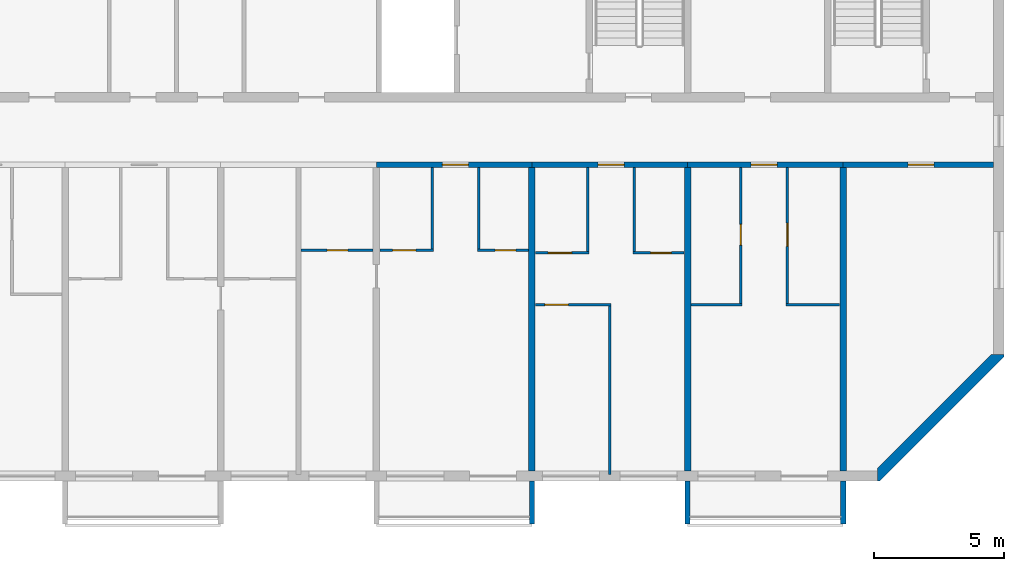
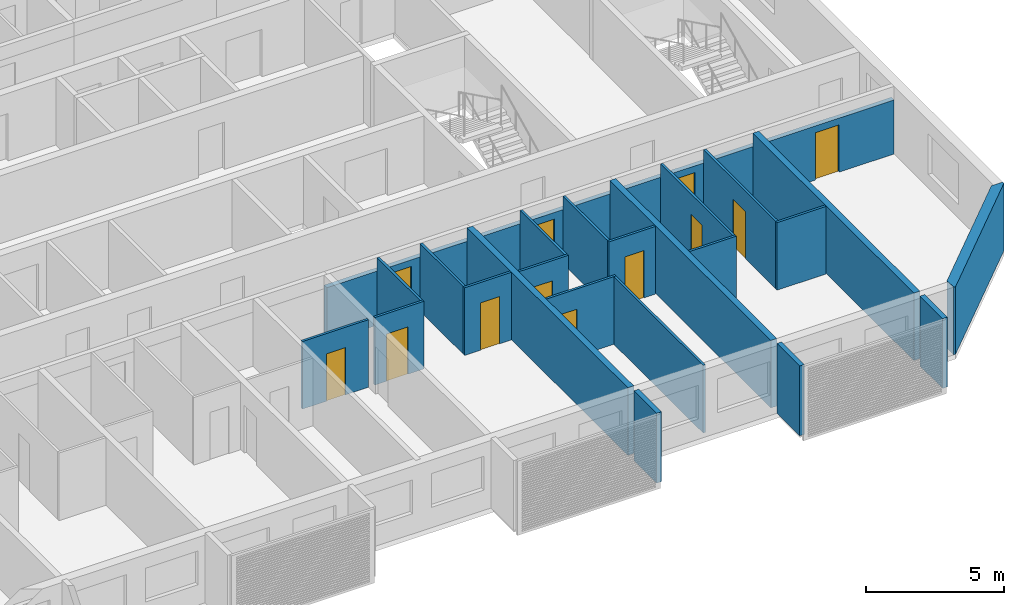
# One storey, part 7 of 20: 26 walls, 12 doors, 12 openings.
"""IFC4 building model written with IfcOpenShell, lengths in metres."""

import ifcopenshell
import ifcopenshell.guid

model = None  # the IFC model being written
_history = None  # IfcOwnerHistory: only IFC2X3 demands one
_inside = {}  # id of a spatial element -> (the spatial element, [elements in it])
_under = {}  # id of a project, library or spatial element -> (it, [spatial elements below it])
_declared = {}  # id of a project -> (the project, [libraries it declares])
_typed = {}  # id of a type object -> (the type object, [elements of that type])
_made_of = {}  # id of a material, layer set ... -> (it, [elements and type objects made of it])


def new_model(schema):
    """Start an empty IFC model of exactly this schema.

    Asked for "IFC4X3", IfcOpenShell would pick the latest addendum, in which some entities
    have other attributes; the version numbers below select the first issue.
    IFC2X3 requires an IfcOwnerHistory on every rooted entity: one is made here for all.
    """
    global model, _history
    if schema == "IFC4X3":
        model = ifcopenshell.file(schema_version=(4, 3, 0, 0))
    else:
        model = ifcopenshell.file(schema=schema)
    _inside.clear()
    _under.clear()
    _declared.clear()
    _typed.clear()
    _made_of.clear()
    _history = None
    if model.schema == "IFC2X3":
        org = make("IfcOrganization", Name="unknown")
        user = make(
            "IfcPersonAndOrganization",
            ThePerson=make("IfcPerson", FamilyName="unknown"),
            TheOrganization=org,
        )
        app = make(
            "IfcApplication",
            ApplicationDeveloper=org,
            Version="unknown",
            ApplicationFullName="unknown",
            ApplicationIdentifier="unknown",
        )
        _history = make(
            "IfcOwnerHistory",
            OwningUser=user,
            OwningApplication=app,
            ChangeAction="ADDED",
            CreationDate=0,
        )
    return model


def make(cls, **values):
    """One entity of the class cls with the attributes given. An attribute that is None is left unset."""
    return model.create_entity(
        cls, **{name: value for name, value in values.items() if value is not None}
    )


def rooted(cls, **values):
    """An entity with a GlobalId (a new one), such as an element, a storey or a relation."""
    return make(cls, GlobalId=ifcopenshell.guid.new(), OwnerHistory=_history, **values)


def si_unit(unit_type, name, prefix=None):
    """IfcSIUnit, for example si_unit("LENGTHUNIT", "METRE", prefix="MILLI")."""
    return make("IfcSIUnit", UnitType=unit_type, Prefix=prefix, Name=name)


def assignment(units):
    """IfcUnitAssignment: the units of a project."""
    return None if units is None else make("IfcUnitAssignment", Units=units)


def point(xyz):
    """IfcCartesianPoint."""
    return None if xyz is None else make("IfcCartesianPoint", Coordinates=xyz)


def direction(xyz):
    """IfcDirection."""
    return None if xyz is None else make("IfcDirection", DirectionRatios=xyz)


def frame(location, z_axis=None, x_axis=None):
    """IfcAxis2Placement3D, a coordinate frame: its origin and axes. An axis left out is left unset."""
    return make(
        "IfcAxis2Placement3D",
        Location=point(location),
        Axis=direction(z_axis),
        RefDirection=direction(x_axis),
    )


def frame_2d(location, x_axis=None):
    """IfcAxis2Placement2D, a coordinate frame in the plane: its origin and x axis."""
    return make(
        "IfcAxis2Placement2D", Location=point(location), RefDirection=direction(x_axis)
    )


def origin():
    """The frame at (0, 0, 0) with its axes left unset."""
    return frame((0.0, 0.0, 0.0))


def place(relative_to, where):
    """IfcLocalPlacement: puts the frame where relative to a parent placement (None: the world)."""
    return make(
        "IfcLocalPlacement", PlacementRelTo=relative_to, RelativePlacement=where
    )


def context(
    kind, dimensions, precision=None, world=None, true_north=None, identifier=None
):
    """IfcGeometricRepresentationContext, for example the 3D "Model" context."""
    return make(
        "IfcGeometricRepresentationContext",
        ContextIdentifier=identifier,
        ContextType=kind,
        CoordinateSpaceDimension=dimensions,
        Precision=precision,
        WorldCoordinateSystem=world,
        TrueNorth=true_north,
    )


def subcontext(parent, identifier, kind, view, scale=None):
    """IfcGeometricRepresentationSubContext, for example "Body" below "Model"."""
    return make(
        "IfcGeometricRepresentationSubContext",
        ContextIdentifier=identifier,
        ContextType=kind,
        ParentContext=parent,
        TargetScale=scale,
        TargetView=view,
    )


def project(units=None, contexts=None):
    """IfcProject with its units and contexts."""
    return rooted(
        "IfcProject",
        Name="project",
        RepresentationContexts=contexts,
        UnitsInContext=assignment(units),
    )


def spatial(cls, under=None, at=None, **own):
    """A site, building, storey or space (cls), placed at a placement, below another one or the project."""
    s = rooted(cls, ObjectPlacement=at, **own)
    if under is not None:
        _under.setdefault(under.id(), (under, []))[1].append(s)
    return s


def polyline(points):
    """IfcPolyline through the points."""
    return make("IfcPolyline", Points=[point(p) for p in points])


def profile(cls, at=None, kind="AREA", **sizes):
    """A parametric profile (cls). Its sizes go by their IFC names, for example OverallWidth=200.0."""
    return make(cls, ProfileType=kind, Position=at, **sizes)


def rectangle(**sizes):
    """IfcRectangleProfileDef."""
    return profile("IfcRectangleProfileDef", **sizes)


def outline(outer, holes=None, kind="AREA"):
    """IfcArbitraryClosedProfileDef: a profile drawn as a closed curve; with holes, ...WithVoids."""
    if holes is None:
        return make("IfcArbitraryClosedProfileDef", ProfileType=kind, OuterCurve=outer)
    return make(
        "IfcArbitraryProfileDefWithVoids",
        ProfileType=kind,
        OuterCurve=outer,
        InnerCurves=holes,
    )


def extrude(swept, where, along, depth):
    """IfcExtrudedAreaSolid: the profile swept, set in the frame where, extruded along a direction by depth."""
    return make(
        "IfcExtrudedAreaSolid",
        SweptArea=swept,
        Position=where,
        ExtrudedDirection=direction(along),
        Depth=depth,
    )


def shape(context_of_items, identifier, shape_type, items):
    """IfcShapeRepresentation: the items that make up one representation, for example the "Body"."""
    return make(
        "IfcShapeRepresentation",
        ContextOfItems=context_of_items,
        RepresentationIdentifier=identifier,
        RepresentationType=shape_type,
        Items=items,
    )


def source(mapping_origin, context_of_items, identifier, shape_type, items):
    """IfcRepresentationMap: a shape defined once, which mapped items show again and again."""
    return make(
        "IfcRepresentationMap",
        MappingOrigin=mapping_origin,
        MappedRepresentation=shape(context_of_items, identifier, shape_type, items),
    )


def transform(
    local_origin,
    x_axis=None,
    y_axis=None,
    z_axis=None,
    scale=None,
    scale2=None,
    scale3=None,
    uniform=True,
):
    """IfcCartesianTransformationOperator3D, or its non-uniform kind. x_axis, y_axis, z_axis: its Axis1, 2, 3."""
    if uniform:
        return make(
            "IfcCartesianTransformationOperator3D",
            Axis1=direction(x_axis),
            Axis2=direction(y_axis),
            LocalOrigin=point(local_origin),
            Scale=scale,
            Axis3=direction(z_axis),
        )
    return make(
        "IfcCartesianTransformationOperator3DnonUniform",
        Axis1=direction(x_axis),
        Axis2=direction(y_axis),
        LocalOrigin=point(local_origin),
        Scale=scale,
        Axis3=direction(z_axis),
        Scale2=scale2,
        Scale3=scale3,
    )


def mapped(mapping_source, mapping_target):
    """IfcMappedItem: shows the shape of a source again, moved by a transform."""
    return make(
        "IfcMappedItem", MappingSource=mapping_source, MappingTarget=mapping_target
    )


def material(Name=None, Category=None):
    """IfcMaterial."""
    return make("IfcMaterial", Name=Name, Category=Category)


def layer(
    of_material, thickness, ventilated=None, Name=None, Category=None, Priority=None
):
    """IfcMaterialLayer: one layer of a wall or slab, of a material (None: an air gap)."""
    return make(
        "IfcMaterialLayer",
        Material=of_material,
        LayerThickness=thickness,
        IsVentilated=ventilated,
        Name=Name,
        Category=Category,
        Priority=Priority,
    )


def layer_set(layers, Name=None):
    """IfcMaterialLayerSet."""
    return make("IfcMaterialLayerSet", MaterialLayers=layers, LayerSetName=Name)


def made_of(thing, what):
    """Note that an element or type object is made of a material, layer set ...; save() writes the relation."""
    if what is not None:
        _made_of.setdefault(what.id(), (what, []))[1].append(thing)
    return thing


def type_object(cls, material=None, **own):
    """A type object (cls), such as IfcWallType, which elements share."""
    return made_of(rooted(cls, **own), material)


def element(
    cls,
    number,
    at=None,
    inside=None,
    cuts=None,
    type_object=None,
    material=None,
    context=None,
    identifier="Body",
    shape_type=None,
    held_by="IfcProductDefinitionShape",
    body=None,
    shapes=None,
    **own,
):
    """One element of the class cls, such as IfcWall. Its Tag is "e" and its number.

    at: its placement. inside: the storey or other place that contains it. cuts: it is an
    opening in that element (IfcRelVoidsElement). A single representation is given by context,
    identifier, shape_type and body (its items); several are given by shapes. held_by: the class
    of the entity that holds the representations. save() writes the other relations.
    """
    e = rooted(cls, Tag="e%d" % number, ObjectPlacement=at, **own)
    if body is not None:
        shapes = [shape(context, identifier, shape_type, body)]
    if shapes is not None:
        e.Representation = make(held_by, Representations=shapes)
    if inside is not None:
        _inside.setdefault(inside.id(), (inside, []))[1].append(e)
    if cuts is not None:
        rooted(
            "IfcRelVoidsElement", RelatingBuildingElement=cuts, RelatedOpeningElement=e
        )
    if type_object is not None:
        _typed.setdefault(type_object.id(), (type_object, []))[1].append(e)
    return made_of(e, material)


def fill(opening, filler):
    """IfcRelFillsElement: the door or window that sits in an opening."""
    return rooted(
        "IfcRelFillsElement",
        RelatingOpeningElement=opening,
        RelatedBuildingElement=filler,
    )


def aggregate(whole, parts):
    """IfcRelAggregates: a whole, such as a stair, and the parts it consists of."""
    return rooted("IfcRelAggregates", RelatingObject=whole, RelatedObjects=parts)


def save(model, path):
    """Write the relations noted so far, then the file.

    IfcRelAggregates (storeys below a building ...), IfcRelContainedInSpatialStructure (elements
    in a storey), IfcRelDefinesByType, IfcRelAssociatesMaterial and IfcRelDeclares: one each for
    every whole, place, type object, material and project.
    """
    for whole, parts in _under.values():
        aggregate(whole, parts)
    for where, things in _inside.values():
        rooted(
            "IfcRelContainedInSpatialStructure",
            RelatedElements=things,
            RelatingStructure=where,
        )
    for kind, things in _typed.values():
        rooted("IfcRelDefinesByType", RelatedObjects=things, RelatingType=kind)
    for what, things in _made_of.values():
        rooted("IfcRelAssociatesMaterial", RelatedObjects=things, RelatingMaterial=what)
    for by, libraries in _declared.values():
        rooted("IfcRelDeclares", RelatingContext=by, RelatedDefinitions=libraries)
    model.write(path)


model = new_model("IFC4")

# Units and contexts
model_context = context("Model", 3, precision=1e-05, world=origin(), true_north=direction((0.0, 1.0)))
body_context = subcontext(model_context, "Body", "Model", "MODEL_VIEW")
ifc_project = project(units=[si_unit("LENGTHUNIT", "METRE"), si_unit("AREAUNIT", "SQUARE_METRE"), si_unit("VOLUMEUNIT", "CUBIC_METRE"), si_unit("PLANEANGLEUNIT", "RADIAN"), si_unit("MASSUNIT", "GRAM", prefix="KILO")], contexts=[model_context])

# Site, building, storey
site_placement = place(None, origin())
site = spatial("IfcSite", under=ifc_project, at=site_placement, CompositionType="ELEMENT")
building_placement = place(site_placement, origin())
building = spatial("IfcBuilding", under=site, at=building_placement, Name="Poui Terraces", CompositionType="ELEMENT")
storey_placement = place(building_placement, frame((0.0, 0.0, 257.699951171875)))
storey = spatial("IfcBuildingStorey", under=building, at=storey_placement, Name="L72", CompositionType="ELEMENT", Elevation=257.699951171875)

# Wall, opening, door
ifc_material_1 = material(Name="Concrete 50 MPa", Category="concrete")
ifc_layer_1 = layer(ifc_material_1, 0.199951171875)
ifc_layer_set_1 = layer_set([ifc_layer_1], Name="Concrete 50 MPa")
wall_type_1 = type_object("IfcWallType", Name="CORRIDOR WALL 200 50MPa", PredefinedType="SHEAR", material=ifc_layer_set_1)
wall_1_placement = place(storey_placement, frame((60.0, 12.0, 0.0), z_axis=(0.0, 0.0, 1.0), x_axis=(1.0, 0.0, 0.0)))
wall_1 = element("IfcWall", 1, at=wall_1_placement, inside=storey, type_object=wall_type_1, Name="CORRIDOR WALL LINE B BAY 8", PredefinedType="SHEAR", context=body_context, shape_type="SweptSolid", body=[
    extrude(rectangle(XDim=6.0, YDim=0.199951171875, at=frame_2d((3.0, 0.0))), origin(), (0.0, 0.0, 1.0), 2.400146484375),
])
opening_1_placement = place(wall_1_placement, frame((2.550048828125, 0.0, 0.0)))
opening_1 = element("IfcOpeningElement", 2, at=opening_1_placement, cuts=wall_1, Name="Opening FD30S", PredefinedType="OPENING", context=body_context, shape_type="SweptSolid", body=[
    extrude(rectangle(XDim=1.0, YDim=2.10009765625, at=frame_2d((0.5, 1.050048828125))), frame((0.0, 0.10986328125, 0.0), z_axis=(0.0, -1.0, 0.0), x_axis=(1.0, 0.0, 0.0)), (0.0, 0.0, 1.0), 0.219970703125),
])
ifc_material_2 = material(Name="Steel fire door", Category="steel")
door_type_1 = type_object("IfcDoorType", Name="FLAT ENTRANCE DOOR 1000 X 2100", OperationType="NOTDEFINED", PredefinedType="DOOR", material=ifc_material_2)
door_1_placement = place(opening_1_placement, frame((1.0, 0.0, 0.0), z_axis=(0.0, 0.0, 1.0), x_axis=(-1.0, 0.0, 0.0)))
door_1 = element("IfcDoor", 3, at=door_1_placement, inside=storey, type_object=door_type_1, Name="FLAT ENTRANCE DOOR 084", OperationType="SINGLE_SWING_LEFT", OverallHeight=2.10009765625, OverallWidth=1.0, PredefinedType="DOOR", context=body_context, shape_type="SweptSolid", body=[
    extrude(rectangle(XDim=1.0, YDim=2.10009765625, at=frame_2d((0.5, 1.050048828125))), frame((0.0, 0.02490234375, 0.0), z_axis=(0.0, -1.0, 0.0), x_axis=(1.0, 0.0, 0.0)), (0.0, 0.0, 1.0), 0.050048828125),
])
fill(opening_1, door_1)

wall_2_placement = place(storey_placement, frame((66.0, 12.0, 0.0), z_axis=(0.0, 0.0, 1.0), x_axis=(1.0, 0.0, 0.0)))
wall_2 = element("IfcWall", 4, at=wall_2_placement, inside=storey, type_object=wall_type_1, Name="CORRIDOR WALL LINE B BAY 9", PredefinedType="SHEAR", context=body_context, shape_type="SweptSolid", body=[
    extrude(rectangle(XDim=6.0, YDim=0.199951171875, at=frame_2d((3.0, 0.0))), origin(), (0.0, 0.0, 1.0), 2.400146484375),
])
opening_2_placement = place(wall_2_placement, frame((2.550048828125, 0.0, 0.0)))
opening_2 = element("IfcOpeningElement", 5, at=opening_2_placement, cuts=wall_2, Name="Opening FD30S", PredefinedType="OPENING", context=body_context, shape_type="SweptSolid", body=[
    extrude(rectangle(XDim=1.0, YDim=2.10009765625, at=frame_2d((0.5, 1.050048828125))), frame((0.0, 0.10986328125, 0.0), z_axis=(0.0, -1.0, 0.0), x_axis=(1.0, 0.0, 0.0)), (0.0, 0.0, 1.0), 0.219970703125),
])
door_2_placement = place(opening_2_placement, frame((1.0, 0.0, 0.0), z_axis=(0.0, 0.0, 1.0), x_axis=(-1.0, 0.0, 0.0)))
door_2 = element("IfcDoor", 6, at=door_2_placement, inside=storey, type_object=door_type_1, Name="FLAT ENTRANCE DOOR 088", OperationType="SINGLE_SWING_LEFT", OverallHeight=2.10009765625, OverallWidth=1.0, PredefinedType="DOOR", context=body_context, shape_type="SweptSolid", body=[
    extrude(rectangle(XDim=1.0, YDim=2.10009765625, at=frame_2d((0.5, 1.050048828125))), frame((0.0, 0.02490234375, 0.0), z_axis=(0.0, -1.0, 0.0), x_axis=(1.0, 0.0, 0.0)), (0.0, 0.0, 1.0), 0.050048828125),
])
fill(opening_2, door_2)

wall_3_placement = place(storey_placement, frame((72.0, 12.0, 0.0), z_axis=(0.0, 0.0, 1.0), x_axis=(1.0, 0.0, 0.0)))
wall_3 = element("IfcWall", 7, at=wall_3_placement, inside=storey, type_object=wall_type_1, Name="CORRIDOR WALL LINE B BAY 10", PredefinedType="SHEAR", context=body_context, shape_type="SweptSolid", body=[
    extrude(rectangle(XDim=6.0, YDim=0.199951171875, at=frame_2d((3.0, 0.0))), origin(), (0.0, 0.0, 1.0), 2.400146484375),
])
opening_3_placement = place(wall_3_placement, frame((2.449951171875, 0.0, 0.0)))
opening_3 = element("IfcOpeningElement", 8, at=opening_3_placement, cuts=wall_3, Name="Opening FD30S", PredefinedType="OPENING", context=body_context, shape_type="SweptSolid", body=[
    extrude(rectangle(XDim=1.0, YDim=2.10009765625, at=frame_2d((0.5, 1.050048828125))), frame((0.0, 0.10986328125, 0.0), z_axis=(0.0, -1.0, 0.0), x_axis=(1.0, 0.0, 0.0)), (0.0, 0.0, 1.0), 0.219970703125),
])
door_3_placement = place(opening_3_placement, frame((1.0, 0.0, 0.0), z_axis=(0.0, 0.0, 1.0), x_axis=(-1.0, 0.0, 0.0)))
door_3 = element("IfcDoor", 9, at=door_3_placement, inside=storey, type_object=door_type_1, Name="FLAT ENTRANCE DOOR 091", OperationType="SINGLE_SWING_RIGHT", OverallHeight=2.10009765625, OverallWidth=1.0, PredefinedType="DOOR", context=body_context, shape_type="SweptSolid", body=[
    extrude(rectangle(XDim=1.0, YDim=2.10009765625, at=frame_2d((0.5, 1.050048828125))), frame((0.0, 0.02490234375, 0.0), z_axis=(0.0, -1.0, 0.0), x_axis=(1.0, 0.0, 0.0)), (0.0, 0.0, 1.0), 0.050048828125),
])
fill(opening_3, door_3)

wall_4_placement = place(storey_placement, frame((78.0, 12.0, 0.0), z_axis=(0.0, 0.0, 1.0), x_axis=(1.0, 0.0, 0.0)))
wall_4 = element("IfcWall", 10, at=wall_4_placement, inside=storey, type_object=wall_type_1, Name="CORRIDOR WALL LINE B BAY 11", PredefinedType="SHEAR", context=body_context, shape_type="SweptSolid", body=[
    extrude(rectangle(XDim=5.800048828125, YDim=0.199951171875, at=frame_2d((2.89990234375, 0.0))), origin(), (0.0, 0.0, 1.0), 2.400146484375),
])
opening_4_placement = place(wall_4_placement, frame((2.5, 0.0, 0.0)))
opening_4 = element("IfcOpeningElement", 11, at=opening_4_placement, cuts=wall_4, Name="Opening D100", PredefinedType="OPENING", context=body_context, shape_type="SweptSolid", body=[
    extrude(rectangle(XDim=1.0, YDim=2.10009765625, at=frame_2d((0.5, 1.050048828125))), frame((0.0, 0.10986328125, 0.0), z_axis=(0.0, -1.0, 0.0), x_axis=(1.0, 0.0, 0.0)), (0.0, 0.0, 1.0), 0.219970703125),
])
ifc_material_3 = material(Name="Solid core timber door", Category="wood")
door_type_2 = type_object("IfcDoorType", Name="ACCESSIBLE INTERNAL DOOR 1000 X 2100", OperationType="NOTDEFINED", PredefinedType="DOOR", material=ifc_material_3)
door_4_placement = place(opening_4_placement, frame((1.0, 0.0, 0.0), z_axis=(0.0, 0.0, 1.0), x_axis=(-1.0, 0.0, 0.0)))
door_4 = element("IfcDoor", 12, at=door_4_placement, inside=storey, type_object=door_type_2, Name="ACCESSIBLE INTERNAL DOOR 093", OperationType="SINGLE_SWING_RIGHT", OverallHeight=2.10009765625, OverallWidth=1.0, PredefinedType="DOOR", context=body_context, shape_type="SweptSolid", body=[
    extrude(rectangle(XDim=1.0, YDim=2.10009765625, at=frame_2d((0.5, 1.050048828125))), frame((0.0, 0.02490234375, 0.0), z_axis=(0.0, -1.0, 0.0), x_axis=(1.0, 0.0, 0.0)), (0.0, 0.0, 1.0), 0.050048828125),
])
fill(opening_4, door_4)

# Walls
ifc_layer_2 = layer(ifc_material_1, 0.25)
ifc_layer_set_2 = layer_set([ifc_layer_2], Name="Concrete 50 MPa")
wall_type_2 = type_object("IfcWallType", Name="CROSS WALL 250 50MPa", PredefinedType="SHEAR", material=ifc_layer_set_2)
for number, where, z_axis, x_axis, name in (
    (13, (66.0, 0.199951171875, 0.0), (0.0, 0.0, 1.0), (0.0, 1.0, 0.0), "CROSS WALL LINE 12 SOUTH"),
    (14, (72.0, 0.199951171875, 0.0), (0.0, 0.0, 1.0), (0.0, 1.0, 0.0), "CROSS WALL LINE 13 SOUTH"),
    (15, (78.0, 0.199951171875, 0.0), (0.0, 0.0, 1.0), (0.0, 1.0, 0.0), "CROSS WALL LINE 14 SOUTH"),
):
    element("IfcWall", number, at=place(storey_placement, frame(where, z_axis=z_axis, x_axis=x_axis)), inside=storey, type_object=wall_type_2, Name=name, PredefinedType="SHEAR", context=body_context, shape_type="SweptSolid", body=[
        extrude(rectangle(XDim=11.699951171875, YDim=0.25, at=frame_2d((5.85009765625, 0.0))), origin(), (0.0, 0.0, 1.0), 3.0),
    ])

# Wall, opening, door
ifc_material_4 = material(Name="Plasterboard partition")
ifc_layer_3 = layer(ifc_material_4, 0.10009765625)
ifc_layer_set_3 = layer_set([ifc_layer_3], Name="Plasterboard partition")
wall_type_3 = type_object("IfcWallType", Name="FLAT PARTITION 100", PredefinedType="PARTITIONING", material=ifc_layer_set_3)
wall_5_placement = place(storey_placement, frame((66.135009765625, 6.60009765625, 0.0), z_axis=(0.0, 0.0, 1.0), x_axis=(1.0, 0.0, 0.0)))
wall_5 = element("IfcWall", 16, at=wall_5_placement, inside=storey, type_object=wall_type_3, Name="FLAT PARTITION 100", PredefinedType="PARTITIONING", context=body_context, shape_type="SweptSolid", body=[
    extrude(rectangle(XDim=2.9150390625, YDim=0.10009765625, at=frame_2d((1.45751953125, 0.0))), origin(), (0.0, 0.0, 1.0), 3.0),
])
opening_5_placement = place(wall_5_placement, frame((0.364990234375, 0.0, 0.0)))
opening_5 = element("IfcOpeningElement", 17, at=opening_5_placement, cuts=wall_5, Name="Opening D90", PredefinedType="OPENING", context=body_context, shape_type="SweptSolid", body=[
    extrude(rectangle(XDim=0.89990234375, YDim=2.10009765625, at=frame_2d((0.449951171875, 1.050048828125))), frame((0.0, 0.06005859375, 0.0), z_axis=(0.0, -1.0, 0.0), x_axis=(1.0, 0.0, 0.0)), (0.0, 0.0, 1.0), 0.1201171875),
])
door_type_3 = type_object("IfcDoorType", Name="INTERNAL DOOR 900 X 2100", OperationType="NOTDEFINED", PredefinedType="DOOR", material=ifc_material_3)
door_5_placement = place(opening_5_placement, origin())
door_5 = element("IfcDoor", 18, at=door_5_placement, inside=storey, type_object=door_type_3, Name="INTERNAL DOOR 086", OperationType="SINGLE_SWING_RIGHT", OverallHeight=2.10009765625, OverallWidth=0.89990234375, PredefinedType="DOOR", context=body_context, shape_type="SweptSolid", body=[
    extrude(rectangle(XDim=0.89990234375, YDim=2.10009765625, at=frame_2d((0.449951171875, 1.050048828125))), frame((0.0, 0.02490234375, 0.0), z_axis=(0.0, -1.0, 0.0), x_axis=(1.0, 0.0, 0.0)), (0.0, 0.0, 1.0), 0.050048828125),
])
fill(opening_5, door_5)

# Walls
wall_6_placement = place(storey_placement, frame((72.135009765625, 6.60009765625, 0.0), z_axis=(0.0, 0.0, 1.0), x_axis=(1.0, 0.0, 0.0)))
element("IfcWall", 19, at=wall_6_placement, inside=storey, type_object=wall_type_3, Name="FLAT PARTITION 100", PredefinedType="PARTITIONING", context=body_context, shape_type="SweptSolid", body=[
    extrude(rectangle(XDim=1.965087890625, YDim=0.10009765625, at=frame_2d((0.982421875, 0.0))), origin(), (0.0, 0.0, 1.0), 3.0),
])
wall_7_placement = place(storey_placement, frame((75.800048828125, 6.60009765625, 0.0), z_axis=(0.0, 0.0, 1.0), x_axis=(1.0, 0.0, 0.0)))
element("IfcWall", 20, at=wall_7_placement, inside=storey, type_object=wall_type_3, Name="FLAT PARTITION 100", PredefinedType="PARTITIONING", context=body_context, shape_type="SweptSolid", body=[
    extrude(rectangle(XDim=2.06494140625, YDim=0.10009765625, at=frame_2d((1.032470703125, 0.0))), origin(), (0.0, 0.0, 1.0), 3.0),
])

# Wall, opening, door
wall_8_placement = place(storey_placement, frame((66.135009765625, 8.60009765625, 0.0), z_axis=(0.0, 0.0, 1.0), x_axis=(1.0, 0.0, 0.0)))
wall_8 = element("IfcWall", 21, at=wall_8_placement, inside=storey, type_object=wall_type_3, Name="FLAT PARTITION 100", PredefinedType="PARTITIONING", context=body_context, shape_type="SweptSolid", body=[
    extrude(rectangle(XDim=2.06494140625, YDim=0.10009765625, at=frame_2d((1.032470703125, 0.0))), origin(), (0.0, 0.0, 1.0), 3.0),
])
opening_6_placement = place(wall_8_placement, frame((0.489990234375, 0.0, 0.0)))
opening_6 = element("IfcOpeningElement", 22, at=opening_6_placement, cuts=wall_8, Name="Opening D90", PredefinedType="OPENING", context=body_context, shape_type="SweptSolid", body=[
    extrude(rectangle(XDim=0.89990234375, YDim=2.10009765625, at=frame_2d((0.449951171875, 1.050048828125))), frame((0.0, 0.06005859375, 0.0), z_axis=(0.0, -1.0, 0.0), x_axis=(1.0, 0.0, 0.0)), (0.0, 0.0, 1.0), 0.1201171875),
])
door_6_placement = place(opening_6_placement, origin())
door_6 = element("IfcDoor", 23, at=door_6_placement, inside=storey, type_object=door_type_3, Name="INTERNAL DOOR 087", OperationType="SINGLE_SWING_LEFT", OverallHeight=2.10009765625, OverallWidth=0.89990234375, PredefinedType="DOOR", context=body_context, shape_type="SweptSolid", body=[
    extrude(rectangle(XDim=0.89990234375, YDim=2.10009765625, at=frame_2d((0.449951171875, 1.050048828125))), frame((0.0, 0.02490234375, 0.0), z_axis=(0.0, -1.0, 0.0), x_axis=(1.0, 0.0, 0.0)), (0.0, 0.0, 1.0), 0.050048828125),
])
fill(opening_6, door_6)

wall_9_placement = place(storey_placement, frame((69.89990234375, 8.60009765625, 0.0), z_axis=(0.0, 0.0, 1.0), x_axis=(1.0, 0.0, 0.0)))
wall_9 = element("IfcWall", 24, at=wall_9_placement, inside=storey, type_object=wall_type_3, Name="FLAT PARTITION 100", PredefinedType="PARTITIONING", context=body_context, shape_type="SweptSolid", body=[
    extrude(rectangle(XDim=1.965087890625, YDim=0.10009765625, at=frame_2d((0.982421875, 0.0))), origin(), (0.0, 0.0, 1.0), 3.0),
])
opening_7_placement = place(wall_9_placement, frame((0.675048828125, 0.0, 0.0)))
opening_7 = element("IfcOpeningElement", 25, at=opening_7_placement, cuts=wall_9, Name="Opening D80", PredefinedType="OPENING", context=body_context, shape_type="SweptSolid", body=[
    extrude(rectangle(XDim=0.800048828125, YDim=2.10009765625, at=frame_2d((0.39990234375, 1.050048828125))), frame((0.0, 0.06005859375, 0.0), z_axis=(0.0, -1.0, 0.0), x_axis=(1.0, 0.0, 0.0)), (0.0, 0.0, 1.0), 0.1201171875),
])
door_type_4 = type_object("IfcDoorType", Name="BATHROOM, LAUNDRY AND STORE DOOR 800 X 2100", OperationType="NOTDEFINED", PredefinedType="DOOR", material=ifc_material_3)
door_7_placement = place(opening_7_placement, origin())
door_7 = element("IfcDoor", 26, at=door_7_placement, inside=storey, type_object=door_type_4, Name="BATHROOM, LAUNDRY AND STORE DOOR 089", OperationType="SINGLE_SWING_RIGHT", OverallHeight=2.10009765625, OverallWidth=0.800048828125, PredefinedType="DOOR", context=body_context, shape_type="SweptSolid", body=[
    extrude(rectangle(XDim=0.800048828125, YDim=2.10009765625, at=frame_2d((0.39990234375, 1.050048828125))), frame((0.0, 0.02490234375, 0.0), z_axis=(0.0, -1.0, 0.0), x_axis=(1.0, 0.0, 0.0)), (0.0, 0.0, 1.0), 0.050048828125),
])
fill(opening_7, door_7)

wall_10_placement = place(storey_placement, frame((57.10009765625, 8.699951171875, 0.0), z_axis=(0.0, 0.0, 1.0), x_axis=(1.0, 0.0, 0.0)))
wall_10 = element("IfcWall", 27, at=wall_10_placement, inside=storey, type_object=wall_type_3, Name="FLAT PARTITION 100", PredefinedType="PARTITIONING", context=body_context, shape_type="SweptSolid", body=[
    extrude(rectangle(XDim=2.764892578125, YDim=0.10009765625, at=frame_2d((1.38232421875, 0.0))), origin(), (0.0, 0.0, 1.0), 3.0),
])
opening_8_placement = place(wall_10_placement, frame((1.0, 0.0, 0.0)))
opening_8 = element("IfcOpeningElement", 28, at=opening_8_placement, cuts=wall_10, Name="Opening D80", PredefinedType="OPENING", context=body_context, shape_type="SweptSolid", body=[
    extrude(rectangle(XDim=0.800048828125, YDim=2.10009765625, at=frame_2d((0.39990234375, 1.050048828125))), frame((0.0, 0.06005859375, 0.0), z_axis=(0.0, -1.0, 0.0), x_axis=(1.0, 0.0, 0.0)), (0.0, 0.0, 1.0), 0.1201171875),
])
door_8_placement = place(opening_8_placement, origin())
door_8 = element("IfcDoor", 29, at=door_8_placement, inside=storey, type_object=door_type_4, Name="BATHROOM, LAUNDRY AND STORE DOOR 081", OperationType="SINGLE_SWING_RIGHT", OverallHeight=2.10009765625, OverallWidth=0.800048828125, PredefinedType="DOOR", context=body_context, shape_type="SweptSolid", body=[
    extrude(rectangle(XDim=0.800048828125, YDim=2.10009765625, at=frame_2d((0.39990234375, 1.050048828125))), frame((0.0, 0.02490234375, 0.0), z_axis=(0.0, -1.0, 0.0), x_axis=(1.0, 0.0, 0.0)), (0.0, 0.0, 1.0), 0.050048828125),
])
fill(opening_8, door_8)

wall_11_placement = place(storey_placement, frame((60.135009765625, 8.699951171875, 0.0), z_axis=(0.0, 0.0, 1.0), x_axis=(1.0, 0.0, 0.0)))
wall_11 = element("IfcWall", 30, at=wall_11_placement, inside=storey, type_object=wall_type_3, Name="FLAT PARTITION 100", PredefinedType="PARTITIONING", context=body_context, shape_type="SweptSolid", body=[
    extrude(rectangle(XDim=2.06494140625, YDim=0.10009765625, at=frame_2d((1.032470703125, 0.0))), origin(), (0.0, 0.0, 1.0), 3.0),
])
opening_9_placement = place(wall_11_placement, frame((0.489990234375, 0.0, 0.0)))
opening_9 = element("IfcOpeningElement", 31, at=opening_9_placement, cuts=wall_11, Name="Opening D90", PredefinedType="OPENING", context=body_context, shape_type="SweptSolid", body=[
    extrude(rectangle(XDim=0.89990234375, YDim=2.10009765625, at=frame_2d((0.449951171875, 1.050048828125))), frame((0.0, 0.06005859375, 0.0), z_axis=(0.0, -1.0, 0.0), x_axis=(1.0, 0.0, 0.0)), (0.0, 0.0, 1.0), 0.1201171875),
])
door_9_placement = place(opening_9_placement, origin())
door_9 = element("IfcDoor", 32, at=door_9_placement, inside=storey, type_object=door_type_3, Name="INTERNAL DOOR 083", OperationType="SINGLE_SWING_LEFT", OverallHeight=2.10009765625, OverallWidth=0.89990234375, PredefinedType="DOOR", context=body_context, shape_type="SweptSolid", body=[
    extrude(rectangle(XDim=0.89990234375, YDim=2.10009765625, at=frame_2d((0.449951171875, 1.050048828125))), frame((0.0, 0.02490234375, 0.0), z_axis=(0.0, -1.0, 0.0), x_axis=(1.0, 0.0, 0.0)), (0.0, 0.0, 1.0), 0.050048828125),
])
fill(opening_9, door_9)

wall_12_placement = place(storey_placement, frame((63.89990234375, 8.699951171875, 0.0), z_axis=(0.0, 0.0, 1.0), x_axis=(1.0, 0.0, 0.0)))
wall_12 = element("IfcWall", 33, at=wall_12_placement, inside=storey, type_object=wall_type_3, Name="FLAT PARTITION 100", PredefinedType="PARTITIONING", context=body_context, shape_type="SweptSolid", body=[
    extrude(rectangle(XDim=1.965087890625, YDim=0.10009765625, at=frame_2d((0.982421875, 0.0))), origin(), (0.0, 0.0, 1.0), 3.0),
])
opening_10_placement = place(wall_12_placement, frame((0.675048828125, 0.0, 0.0)))
opening_10 = element("IfcOpeningElement", 34, at=opening_10_placement, cuts=wall_12, Name="Opening D80", PredefinedType="OPENING", context=body_context, shape_type="SweptSolid", body=[
    extrude(rectangle(XDim=0.800048828125, YDim=2.10009765625, at=frame_2d((0.39990234375, 1.050048828125))), frame((0.0, 0.06005859375, 0.0), z_axis=(0.0, -1.0, 0.0), x_axis=(1.0, 0.0, 0.0)), (0.0, 0.0, 1.0), 0.1201171875),
])
door_10_placement = place(opening_10_placement, origin())
door_10 = element("IfcDoor", 35, at=door_10_placement, inside=storey, type_object=door_type_4, Name="BATHROOM, LAUNDRY AND STORE DOOR 085", OperationType="SINGLE_SWING_RIGHT", OverallHeight=2.10009765625, OverallWidth=0.800048828125, PredefinedType="DOOR", context=body_context, shape_type="SweptSolid", body=[
    extrude(rectangle(XDim=0.800048828125, YDim=2.10009765625, at=frame_2d((0.39990234375, 1.050048828125))), frame((0.0, 0.02490234375, 0.0), z_axis=(0.0, -1.0, 0.0), x_axis=(1.0, 0.0, 0.0)), (0.0, 0.0, 1.0), 0.050048828125),
])
fill(opening_10, door_10)

# Walls
for number, where, z_axis, x_axis, name in (
    (36, (62.14990234375, 8.75, 0.0), (0.0, 0.0, 1.0), (0.0, 1.0, 0.0), "FLAT PARTITION 100"),
    (37, (63.949951171875, 8.75, 0.0), (0.0, 0.0, 1.0), (0.0, 1.0, 0.0), "FLAT PARTITION 100"),
):
    element("IfcWall", number, at=place(storey_placement, frame(where, z_axis=z_axis, x_axis=x_axis)), inside=storey, type_object=wall_type_3, Name=name, PredefinedType="PARTITIONING", context=body_context, shape_type="SweptSolid", body=[
        extrude(rectangle(XDim=3.139892578125, YDim=0.10009765625, at=frame_2d((1.56982421875, 0.0))), origin(), (0.0, 0.0, 1.0), 3.0),
    ])
wall_13_placement = place(storey_placement, frame((68.14990234375, 8.64990234375, 0.0), z_axis=(0.0, 0.0, 1.0), x_axis=(0.0, 1.0, 0.0)))
element("IfcWall", 38, at=wall_13_placement, inside=storey, type_object=wall_type_3, Name="FLAT PARTITION 100", PredefinedType="PARTITIONING", context=body_context, shape_type="SweptSolid", body=[
    extrude(rectangle(XDim=3.239990234375, YDim=0.10009765625, at=frame_2d((1.6201171875, 0.0))), origin(), (0.0, 0.0, 1.0), 3.0),
])
wall_14_placement = place(storey_placement, frame((69.0, 0.06005859375, 0.0), z_axis=(0.0, 0.0, 1.0), x_axis=(0.0, 1.0, 0.0)))
element("IfcWall", 39, at=wall_14_placement, inside=storey, type_object=wall_type_3, Name="FLAT PARTITION 100", PredefinedType="PARTITIONING", context=body_context, shape_type="SweptSolid", body=[
    extrude(rectangle(XDim=6.489990234375, YDim=0.10009765625, at=frame_2d((3.2451171875, 0.0))), origin(), (0.0, 0.0, 1.0), 3.0),
])
wall_15_placement = place(storey_placement, frame((69.949951171875, 8.64990234375, 0.0), z_axis=(0.0, 0.0, 1.0), x_axis=(0.0, 1.0, 0.0)))
element("IfcWall", 40, at=wall_15_placement, inside=storey, type_object=wall_type_3, Name="FLAT PARTITION 100", PredefinedType="PARTITIONING", context=body_context, shape_type="SweptSolid", body=[
    extrude(rectangle(XDim=3.239990234375, YDim=0.10009765625, at=frame_2d((1.6201171875, 0.0))), origin(), (0.0, 0.0, 1.0), 3.0),
])

# Wall, opening, door
wall_16_placement = place(storey_placement, frame((74.050048828125, 6.64990234375, 0.0), z_axis=(0.0, 0.0, 1.0), x_axis=(0.0, 1.0, 0.0)))
wall_16 = element("IfcWall", 41, at=wall_16_placement, inside=storey, type_object=wall_type_3, Name="FLAT PARTITION 100", PredefinedType="PARTITIONING", context=body_context, shape_type="SweptSolid", body=[
    extrude(rectangle(XDim=5.239990234375, YDim=0.10009765625, at=frame_2d((2.6201171875, 0.0))), origin(), (0.0, 0.0, 1.0), 3.0),
])
opening_11_placement = place(wall_16_placement, frame((2.25, 0.0, 0.0)))
opening_11 = element("IfcOpeningElement", 42, at=opening_11_placement, cuts=wall_16, Name="Opening D80", PredefinedType="OPENING", context=body_context, shape_type="SweptSolid", body=[
    extrude(rectangle(XDim=0.800048828125, YDim=2.10009765625, at=frame_2d((0.39990234375, 1.050048828125))), frame((0.0, 0.06005859375, 0.0), z_axis=(0.0, -1.0, 0.0), x_axis=(1.0, 0.0, 0.0)), (0.0, 0.0, 1.0), 0.1201171875),
])
door_11_placement = place(opening_11_placement, origin())
door_11 = element("IfcDoor", 43, at=door_11_placement, inside=storey, type_object=door_type_4, Name="BATHROOM, LAUNDRY AND STORE DOOR 090", OperationType="SINGLE_SWING_LEFT", OverallHeight=2.10009765625, OverallWidth=0.800048828125, PredefinedType="DOOR", context=body_context, shape_type="SweptSolid", body=[
    extrude(rectangle(XDim=0.800048828125, YDim=2.10009765625, at=frame_2d((0.39990234375, 1.050048828125))), frame((0.0, 0.02490234375, 0.0), z_axis=(0.0, -1.0, 0.0), x_axis=(1.0, 0.0, 0.0)), (0.0, 0.0, 1.0), 0.050048828125),
])
fill(opening_11, door_11)

wall_17_placement = place(storey_placement, frame((75.85009765625, 6.64990234375, 0.0), z_axis=(0.0, 0.0, 1.0), x_axis=(0.0, 1.0, 0.0)))
wall_17 = element("IfcWall", 44, at=wall_17_placement, inside=storey, type_object=wall_type_3, Name="FLAT PARTITION 100", PredefinedType="PARTITIONING", context=body_context, shape_type="SweptSolid", body=[
    extrude(rectangle(XDim=5.239990234375, YDim=0.10009765625, at=frame_2d((2.6201171875, 0.0))), origin(), (0.0, 0.0, 1.0), 3.0),
])
opening_12_placement = place(wall_17_placement, frame((2.199951171875, 0.0, 0.0)))
opening_12 = element("IfcOpeningElement", 45, at=opening_12_placement, cuts=wall_17, Name="Opening D90", PredefinedType="OPENING", context=body_context, shape_type="SweptSolid", body=[
    extrude(rectangle(XDim=0.89990234375, YDim=2.10009765625, at=frame_2d((0.449951171875, 1.050048828125))), frame((0.0, 0.06005859375, 0.0), z_axis=(0.0, -1.0, 0.0), x_axis=(1.0, 0.0, 0.0)), (0.0, 0.0, 1.0), 0.1201171875),
])
door_12_placement = place(opening_12_placement, frame((0.89990234375, 0.0, 0.0), z_axis=(0.0, 0.0, 1.0), x_axis=(-1.0, 0.0, 0.0)))
door_12 = element("IfcDoor", 46, at=door_12_placement, inside=storey, type_object=door_type_3, Name="INTERNAL DOOR 092", OperationType="SINGLE_SWING_LEFT", OverallHeight=2.10009765625, OverallWidth=0.89990234375, PredefinedType="DOOR", context=body_context, shape_type="SweptSolid", body=[
    extrude(rectangle(XDim=0.89990234375, YDim=2.10009765625, at=frame_2d((0.449951171875, 1.050048828125))), frame((0.0, 0.02490234375, 0.0), z_axis=(0.0, -1.0, 0.0), x_axis=(1.0, 0.0, 0.0)), (0.0, 0.0, 1.0), 0.050048828125),
])
fill(opening_12, door_12)

# Walls
ifc_material_5 = material(Name="Precast concrete 40 MPa", Category="concrete")
ifc_layer_4 = layer(ifc_material_5, 0.39990234375)
ifc_layer_set_4 = layer_set([ifc_layer_4], Name="Precast concrete 40 MPa")
wall_type_4 = type_object("IfcWallType", Name="TERRACOTTA CLAD CHAMFER WALL 400", PredefinedType="STANDARD", material=ifc_layer_set_4)
wall_18_placement = place(storey_placement, origin())
element("IfcWall", 47, at=wall_18_placement, inside=storey, type_object=wall_type_4, Name="CHAMFER WALL CH01", PredefinedType="STANDARD", context=body_context, shape_type="SweptSolid", body=[
    extrude(outline(polyline([(79.317138671875, -0.199951171875), (79.39990234375, -0.199951171875), (84.199951171875, 4.60009765625), (84.199951171875, 4.682861328125), (83.71728515625, 4.682861328125), (79.317138671875, 0.28271484375), (79.317138671875, -0.199951171875)])), origin(), (0.0, 0.0, 1.0), 3.0),
])
ifc_layer_5 = layer(ifc_material_5, 0.199951171875)
ifc_layer_set_5 = layer_set([ifc_layer_5], Name="Precast concrete 40 MPa")
wall_type_5 = type_object("IfcWallType", Name="REAR FIN 200", PredefinedType="STANDARD", material=ifc_layer_set_5)
shared_shape = source(origin(), body_context, "Body", "SweptSolid", [
    extrude(outline(polyline([(0.0, 0.0), (0.2001953125, 0.0), (0.2001953125, 1.650146484375), (0.0, 1.650146484375), (0.0, 0.0)])), origin(), (0.0, 0.0, 1.0), 3.10009765625),
])
for number, where, name in (
    (48, (65.89990234375, -1.85009765625, 0.0), "REAR FIN"),
    (49, (71.89990234375, -1.85009765625, 0.0), "REAR FIN"),
    (50, (77.89990234375, -1.85009765625, 0.0), "REAR FIN"),
):
    element("IfcWall", number, at=place(storey_placement, frame(where)), inside=storey, type_object=wall_type_5, Name=name, PredefinedType="STANDARD", context=body_context, shape_type="MappedRepresentation", body=[
        mapped(shared_shape, transform((0.0, 0.0, 0.0))),
    ])

save(model, "model.ifc")
